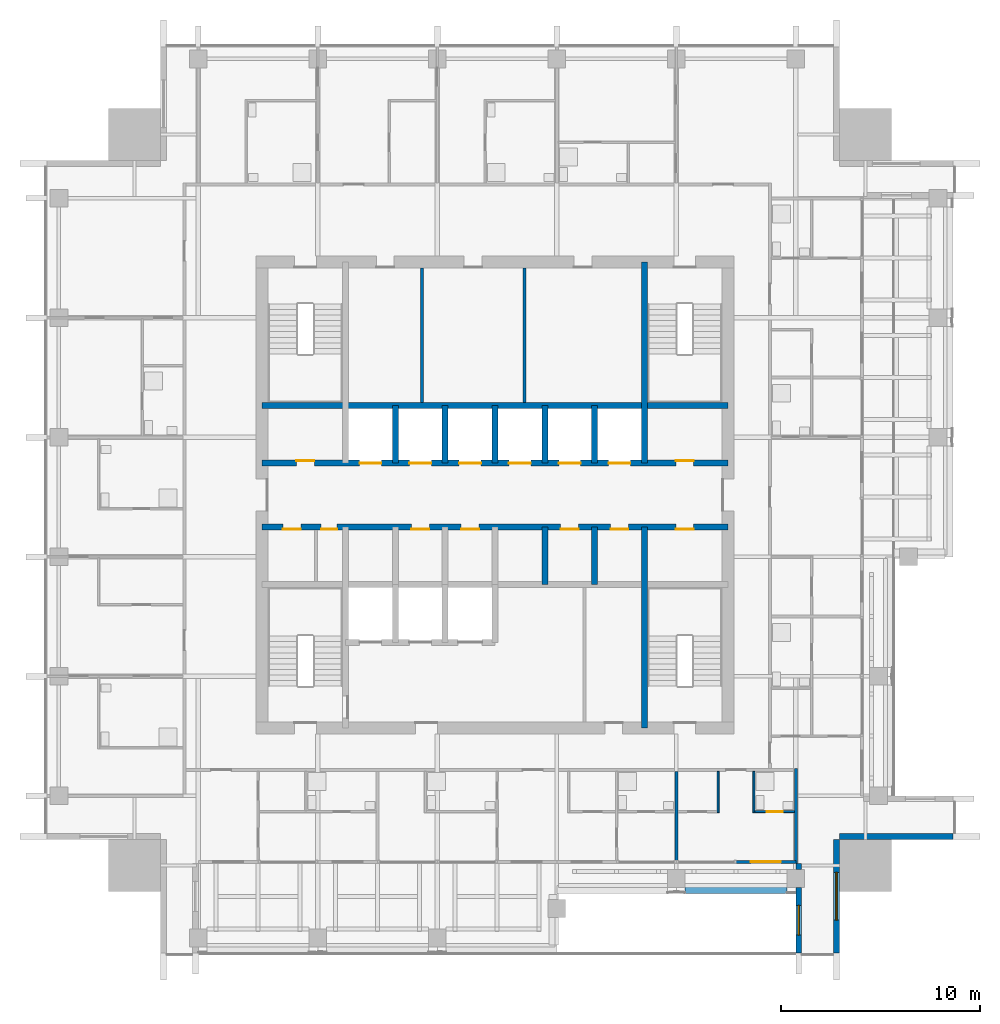
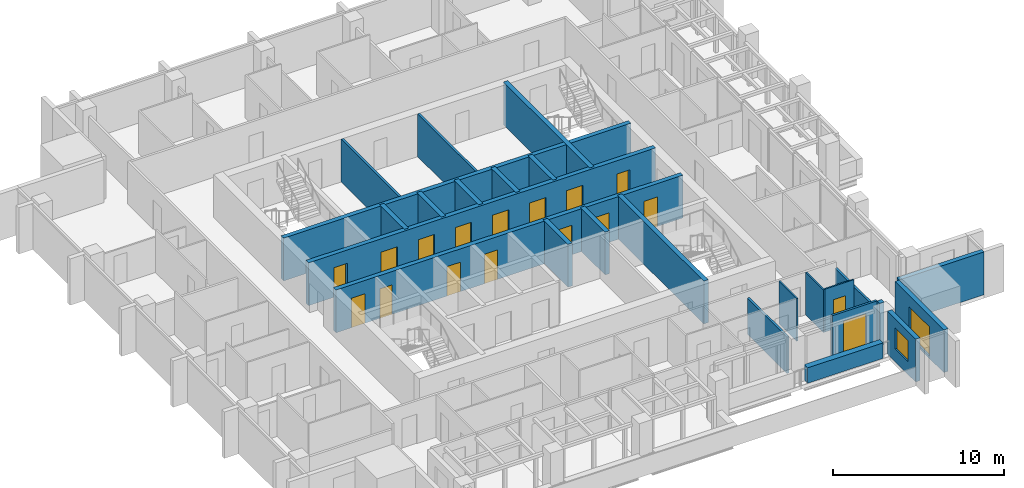
# One storey, part 10 of 17: 25 walls, 17 doors, 2 windows, 19 openings.
"""IFC4 building model written with IfcOpenShell, lengths in metres."""

import ifcopenshell
import ifcopenshell.guid

model = None  # the IFC model being written
_history = None  # IfcOwnerHistory: only IFC2X3 demands one
_inside = {}  # id of a spatial element -> (the spatial element, [elements in it])
_under = {}  # id of a project, library or spatial element -> (it, [spatial elements below it])
_declared = {}  # id of a project -> (the project, [libraries it declares])
_typed = {}  # id of a type object -> (the type object, [elements of that type])
_made_of = {}  # id of a material, layer set ... -> (it, [elements and type objects made of it])


def new_model(schema):
    """Start an empty IFC model of exactly this schema.

    Asked for "IFC4X3", IfcOpenShell would pick the latest addendum, in which some entities
    have other attributes; the version numbers below select the first issue.
    IFC2X3 requires an IfcOwnerHistory on every rooted entity: one is made here for all.
    """
    global model, _history
    if schema == "IFC4X3":
        model = ifcopenshell.file(schema_version=(4, 3, 0, 0))
    else:
        model = ifcopenshell.file(schema=schema)
    _inside.clear()
    _under.clear()
    _declared.clear()
    _typed.clear()
    _made_of.clear()
    _history = None
    if model.schema == "IFC2X3":
        org = make("IfcOrganization", Name="unknown")
        user = make(
            "IfcPersonAndOrganization",
            ThePerson=make("IfcPerson", FamilyName="unknown"),
            TheOrganization=org,
        )
        app = make(
            "IfcApplication",
            ApplicationDeveloper=org,
            Version="unknown",
            ApplicationFullName="unknown",
            ApplicationIdentifier="unknown",
        )
        _history = make(
            "IfcOwnerHistory",
            OwningUser=user,
            OwningApplication=app,
            ChangeAction="ADDED",
            CreationDate=0,
        )
    return model


def make(cls, **values):
    """One entity of the class cls with the attributes given. An attribute that is None is left unset."""
    return model.create_entity(
        cls, **{name: value for name, value in values.items() if value is not None}
    )


def rooted(cls, **values):
    """An entity with a GlobalId (a new one), such as an element, a storey or a relation."""
    return make(cls, GlobalId=ifcopenshell.guid.new(), OwnerHistory=_history, **values)


def si_unit(unit_type, name, prefix=None):
    """IfcSIUnit, for example si_unit("LENGTHUNIT", "METRE", prefix="MILLI")."""
    return make("IfcSIUnit", UnitType=unit_type, Prefix=prefix, Name=name)


def assignment(units):
    """IfcUnitAssignment: the units of a project."""
    return None if units is None else make("IfcUnitAssignment", Units=units)


def point(xyz):
    """IfcCartesianPoint."""
    return None if xyz is None else make("IfcCartesianPoint", Coordinates=xyz)


def direction(xyz):
    """IfcDirection."""
    return None if xyz is None else make("IfcDirection", DirectionRatios=xyz)


def frame(location, z_axis=None, x_axis=None):
    """IfcAxis2Placement3D, a coordinate frame: its origin and axes. An axis left out is left unset."""
    return make(
        "IfcAxis2Placement3D",
        Location=point(location),
        Axis=direction(z_axis),
        RefDirection=direction(x_axis),
    )


def frame_2d(location, x_axis=None):
    """IfcAxis2Placement2D, a coordinate frame in the plane: its origin and x axis."""
    return make(
        "IfcAxis2Placement2D", Location=point(location), RefDirection=direction(x_axis)
    )


def origin():
    """The frame at (0, 0, 0) with its axes left unset."""
    return frame((0.0, 0.0, 0.0))


def place(relative_to, where):
    """IfcLocalPlacement: puts the frame where relative to a parent placement (None: the world)."""
    return make(
        "IfcLocalPlacement", PlacementRelTo=relative_to, RelativePlacement=where
    )


def context(
    kind, dimensions, precision=None, world=None, true_north=None, identifier=None
):
    """IfcGeometricRepresentationContext, for example the 3D "Model" context."""
    return make(
        "IfcGeometricRepresentationContext",
        ContextIdentifier=identifier,
        ContextType=kind,
        CoordinateSpaceDimension=dimensions,
        Precision=precision,
        WorldCoordinateSystem=world,
        TrueNorth=true_north,
    )


def subcontext(parent, identifier, kind, view, scale=None):
    """IfcGeometricRepresentationSubContext, for example "Body" below "Model"."""
    return make(
        "IfcGeometricRepresentationSubContext",
        ContextIdentifier=identifier,
        ContextType=kind,
        ParentContext=parent,
        TargetScale=scale,
        TargetView=view,
    )


def project(units=None, contexts=None):
    """IfcProject with its units and contexts."""
    return rooted(
        "IfcProject",
        Name="project",
        RepresentationContexts=contexts,
        UnitsInContext=assignment(units),
    )


def spatial(cls, under=None, at=None, **own):
    """A site, building, storey or space (cls), placed at a placement, below another one or the project."""
    s = rooted(cls, ObjectPlacement=at, **own)
    if under is not None:
        _under.setdefault(under.id(), (under, []))[1].append(s)
    return s


def profile(cls, at=None, kind="AREA", **sizes):
    """A parametric profile (cls). Its sizes go by their IFC names, for example OverallWidth=200.0."""
    return make(cls, ProfileType=kind, Position=at, **sizes)


def rectangle(**sizes):
    """IfcRectangleProfileDef."""
    return profile("IfcRectangleProfileDef", **sizes)


def extrude(swept, where, along, depth):
    """IfcExtrudedAreaSolid: the profile swept, set in the frame where, extruded along a direction by depth."""
    return make(
        "IfcExtrudedAreaSolid",
        SweptArea=swept,
        Position=where,
        ExtrudedDirection=direction(along),
        Depth=depth,
    )


def shape(context_of_items, identifier, shape_type, items):
    """IfcShapeRepresentation: the items that make up one representation, for example the "Body"."""
    return make(
        "IfcShapeRepresentation",
        ContextOfItems=context_of_items,
        RepresentationIdentifier=identifier,
        RepresentationType=shape_type,
        Items=items,
    )


def material(Name=None, Category=None):
    """IfcMaterial."""
    return make("IfcMaterial", Name=Name, Category=Category)


def layer(
    of_material, thickness, ventilated=None, Name=None, Category=None, Priority=None
):
    """IfcMaterialLayer: one layer of a wall or slab, of a material (None: an air gap)."""
    return make(
        "IfcMaterialLayer",
        Material=of_material,
        LayerThickness=thickness,
        IsVentilated=ventilated,
        Name=Name,
        Category=Category,
        Priority=Priority,
    )


def layer_set(layers, Name=None):
    """IfcMaterialLayerSet."""
    return make("IfcMaterialLayerSet", MaterialLayers=layers, LayerSetName=Name)


def made_of(thing, what):
    """Note that an element or type object is made of a material, layer set ...; save() writes the relation."""
    if what is not None:
        _made_of.setdefault(what.id(), (what, []))[1].append(thing)
    return thing


def type_object(cls, material=None, **own):
    """A type object (cls), such as IfcWallType, which elements share."""
    return made_of(rooted(cls, **own), material)


def element(
    cls,
    number,
    at=None,
    inside=None,
    cuts=None,
    type_object=None,
    material=None,
    context=None,
    identifier="Body",
    shape_type=None,
    held_by="IfcProductDefinitionShape",
    body=None,
    shapes=None,
    **own,
):
    """One element of the class cls, such as IfcWall. Its Tag is "e" and its number.

    at: its placement. inside: the storey or other place that contains it. cuts: it is an
    opening in that element (IfcRelVoidsElement). A single representation is given by context,
    identifier, shape_type and body (its items); several are given by shapes. held_by: the class
    of the entity that holds the representations. save() writes the other relations.
    """
    e = rooted(cls, Tag="e%d" % number, ObjectPlacement=at, **own)
    if body is not None:
        shapes = [shape(context, identifier, shape_type, body)]
    if shapes is not None:
        e.Representation = make(held_by, Representations=shapes)
    if inside is not None:
        _inside.setdefault(inside.id(), (inside, []))[1].append(e)
    if cuts is not None:
        rooted(
            "IfcRelVoidsElement", RelatingBuildingElement=cuts, RelatedOpeningElement=e
        )
    if type_object is not None:
        _typed.setdefault(type_object.id(), (type_object, []))[1].append(e)
    return made_of(e, material)


def fill(opening, filler):
    """IfcRelFillsElement: the door or window that sits in an opening."""
    return rooted(
        "IfcRelFillsElement",
        RelatingOpeningElement=opening,
        RelatedBuildingElement=filler,
    )


def aggregate(whole, parts):
    """IfcRelAggregates: a whole, such as a stair, and the parts it consists of."""
    return rooted("IfcRelAggregates", RelatingObject=whole, RelatedObjects=parts)


def save(model, path):
    """Write the relations noted so far, then the file.

    IfcRelAggregates (storeys below a building ...), IfcRelContainedInSpatialStructure (elements
    in a storey), IfcRelDefinesByType, IfcRelAssociatesMaterial and IfcRelDeclares: one each for
    every whole, place, type object, material and project.
    """
    for whole, parts in _under.values():
        aggregate(whole, parts)
    for where, things in _inside.values():
        rooted(
            "IfcRelContainedInSpatialStructure",
            RelatedElements=things,
            RelatingStructure=where,
        )
    for kind, things in _typed.values():
        rooted("IfcRelDefinesByType", RelatedObjects=things, RelatingType=kind)
    for what, things in _made_of.values():
        rooted("IfcRelAssociatesMaterial", RelatedObjects=things, RelatingMaterial=what)
    for by, libraries in _declared.values():
        rooted("IfcRelDeclares", RelatingContext=by, RelatedDefinitions=libraries)
    model.write(path)


model = new_model("IFC4")

# Units and contexts
model_context = context("Model", 3, precision=1e-05, world=origin(), true_north=direction((0.0, 1.0)))
body_context = subcontext(model_context, "Body", "Model", "MODEL_VIEW")
ifc_project = project(units=[si_unit("LENGTHUNIT", "METRE"), si_unit("AREAUNIT", "SQUARE_METRE"), si_unit("VOLUMEUNIT", "CUBIC_METRE"), si_unit("PLANEANGLEUNIT", "RADIAN"), si_unit("MASSUNIT", "GRAM", prefix="KILO")], contexts=[model_context])

# Site, building, storey
site_placement = place(None, origin())
site = spatial("IfcSite", under=ifc_project, at=site_placement, CompositionType="ELEMENT")
building_placement = place(site_placement, origin())
building = spatial("IfcBuilding", under=site, at=building_placement, Name="Amberfall Residences", CompositionType="ELEMENT")
storey_placement = place(building_placement, frame((0.0, 0.0, 216.699951171875)))
storey = spatial("IfcBuildingStorey", under=building, at=storey_placement, Name="L58", CompositionType="ELEMENT", Elevation=216.699951171875)

# Wall
ifc_material_1 = material(Name="Pale stone cladding on insulated backing", Category="masonry")
ifc_layer_1 = layer(ifc_material_1, 0.300048828125)
ifc_layer_set_1 = layer_set([ifc_layer_1], Name="Bronze clad wall 300")
wall_type_1 = type_object("IfcWallType", Name="Bronze clad wall 300", PredefinedType="SOLIDWALL", material=ifc_layer_set_1)
wall_1_placement = place(storey_placement, frame((89.75, 27.0, 0.0), z_axis=(0.0, 0.0, 1.0), x_axis=(0.0, -1.0, 0.0)))
element("IfcWall", 1, at=wall_1_placement, inside=storey, type_object=wall_type_1, Name="External wall L58 S", PredefinedType="SOLIDWALL", context=body_context, shape_type="SweptSolid", body=[
    extrude(rectangle(XDim=0.300048828125, YDim=0.300048828125, at=frame_2d((0.14990234375, 0.0))), origin(), (0.0, 0.0, 1.0), 3.050048828125),
])

# Wall, opening, window
wall_2_placement = place(storey_placement, frame((89.75, 25.800048828125, 0.0), z_axis=(0.0, 0.0, 1.0), x_axis=(0.0, -1.0, 0.0)))
wall_2 = element("IfcWall", 2, at=wall_2_placement, inside=storey, type_object=wall_type_1, Name="External wall L58 S", PredefinedType="SOLIDWALL", context=body_context, shape_type="SweptSolid", body=[
    extrude(rectangle(XDim=3.300048828125, YDim=0.300048828125, at=frame_2d((1.64990234375, 0.0))), origin(), (0.0, 0.0, 1.0), 3.050048828125),
])
opening_1_placement = place(wall_2_placement, frame((0.89990234375, 0.0, 0.89990234375)))
opening_1 = element("IfcOpeningElement", 3, at=opening_1_placement, cuts=wall_2, Name="Opening WN1", PredefinedType="OPENING", context=body_context, shape_type="SweptSolid", body=[
    extrude(rectangle(XDim=1.5, YDim=1.5, at=frame_2d((0.75, 0.75))), frame((0.0, 0.159912109375, 0.0), z_axis=(0.0, -1.0, 0.0), x_axis=(1.0, 0.0, 0.0)), (0.0, 0.0, 1.0), 0.320068359375),
])
ifc_material_2 = material(Name="Bronze aluminium framed glazing", Category="aluminium")
window_type_1 = type_object("IfcWindowType", Name="Window 1500 x 1500 bronze", PartitioningType="DOUBLE_PANEL_VERTICAL", PredefinedType="WINDOW", material=ifc_material_2)
window_1_placement = place(opening_1_placement, origin())
window_1 = element("IfcWindow", 4, at=window_1_placement, inside=storey, type_object=window_type_1, Name="Window L58 S", OverallHeight=1.5, OverallWidth=1.5, PartitioningType="DOUBLE_PANEL_VERTICAL", PredefinedType="WINDOW", context=body_context, shape_type="SweptSolid", body=[
    extrude(rectangle(XDim=1.5, YDim=1.5, at=frame_2d((0.75, 0.75))), frame((0.0, 0.030029296875, 0.0), z_axis=(0.0, -1.0, 0.0), x_axis=(1.0, 0.0, 0.0)), (0.0, 0.0, 1.0), 0.06005859375),
])
fill(opening_1, window_1)

wall_3_placement = place(storey_placement, frame((91.64990234375, 22.5, 0.0), z_axis=(0.0, 0.0, 1.0), x_axis=(0.0, 1.0, 0.0)))
wall_3 = element("IfcWall", 5, at=wall_3_placement, inside=storey, type_object=wall_type_1, Name="External wall L58 SE", PredefinedType="SOLIDWALL", context=body_context, shape_type="SweptSolid", body=[
    extrude(rectangle(XDim=5.699951171875, YDim=0.300048828125, at=frame_2d((2.85009765625, 0.0))), origin(), (0.0, 0.0, 1.0), 3.050048828125),
])
opening_2_placement = place(wall_3_placement, frame((1.64990234375, 0.0, 0.14990234375)))
opening_2 = element("IfcOpeningElement", 6, at=opening_2_placement, cuts=wall_3, Name="Opening WN5", PredefinedType="OPENING", context=body_context, shape_type="SweptSolid", body=[
    extrude(rectangle(XDim=2.39990234375, YDim=2.10009765625, at=frame_2d((1.199951171875, 1.050048828125))), frame((0.0, 0.159912109375, 0.0), z_axis=(0.0, -1.0, 0.0), x_axis=(1.0, 0.0, 0.0)), (0.0, 0.0, 1.0), 0.320068359375),
])
window_type_2 = type_object("IfcWindowType", Name="Glazed opening 2400 x 2100 bronze", PartitioningType="DOUBLE_PANEL_VERTICAL", PredefinedType="WINDOW", material=ifc_material_2)
window_2_placement = place(opening_2_placement, origin())
window_2 = element("IfcWindow", 7, at=window_2_placement, inside=storey, type_object=window_type_2, Name="Window L58 SE", OverallHeight=2.10009765625, OverallWidth=2.39990234375, PartitioningType="DOUBLE_PANEL_VERTICAL", PredefinedType="WINDOW", context=body_context, shape_type="SweptSolid", body=[
    extrude(rectangle(XDim=2.39990234375, YDim=2.10009765625, at=frame_2d((1.199951171875, 1.050048828125))), frame((0.0, 0.030029296875, 0.0), z_axis=(0.0, -1.0, 0.0), x_axis=(1.0, 0.0, 0.0)), (0.0, 0.0, 1.0), 0.06005859375),
])
fill(opening_2, window_2)

# Wall
wall_4_placement = place(storey_placement, frame((91.800048828125, 28.35009765625, 0.0), z_axis=(0.0, 0.0, 1.0), x_axis=(1.0, 0.0, 0.0)))
element("IfcWall", 8, at=wall_4_placement, inside=storey, type_object=wall_type_1, Name="External wall L58 SE", PredefinedType="SOLIDWALL", context=body_context, shape_type="SweptSolid", body=[
    extrude(rectangle(XDim=5.699951171875, YDim=0.300048828125, at=frame_2d((2.85009765625, 0.0))), origin(), (0.0, 0.0, 1.0), 3.050048828125),
])

# Wall, openings, doors
ifc_material_3 = material(Name="Concrete C55", Category="concrete")
ifc_layer_2 = layer(ifc_material_3, 0.300048828125)
ifc_layer_set_2 = layer_set([ifc_layer_2], Name="Core wall 300 C55")
wall_type_2 = type_object("IfcWallType", Name="Core wall 300 C55", PredefinedType="SHEAR", material=ifc_layer_set_2)
wall_5_placement = place(storey_placement, frame((62.800048828125, 43.89990234375, 0.0), z_axis=(0.0, 0.0, 1.0), x_axis=(1.0, 0.0, 0.0)))
wall_5 = element("IfcWall", 9, at=wall_5_placement, inside=storey, type_object=wall_type_2, Name="Core wall RW8 L58 H104", PredefinedType="SHEAR", context=body_context, shape_type="SweptSolid", body=[
    extrude(rectangle(XDim=23.39990234375, YDim=0.300048828125, at=frame_2d((11.699951171875, 0.0))), origin(), (0.0, 0.0, 1.0), 3.050048828125),
])
opening_3_placement = place(wall_5_placement, frame((1.050048828125, 0.0, 0.0)))
opening_3 = element("IfcOpeningElement", 10, at=opening_3_placement, cuts=wall_5, Name="Opening RD1", PredefinedType="OPENING", context=body_context, shape_type="SweptSolid", body=[
    extrude(rectangle(XDim=0.89990234375, YDim=2.10009765625, at=frame_2d((0.449951171875, 1.050048828125))), frame((0.0, 0.159912109375, 0.0), z_axis=(0.0, -1.0, 0.0), x_axis=(1.0, 0.0, 0.0)), (0.0, 0.0, 1.0), 0.320068359375),
])
opening_4_placement = place(wall_5_placement, frame((2.97509765625, 0.0, 0.0)))
opening_4 = element("IfcOpeningElement", 11, at=opening_4_placement, cuts=wall_5, Name="Opening RD2", PredefinedType="OPENING", context=body_context, shape_type="SweptSolid", body=[
    extrude(rectangle(XDim=0.800048828125, YDim=2.10009765625, at=frame_2d((0.39990234375, 1.050048828125))), frame((0.0, 0.159912109375, 0.0), z_axis=(0.0, -1.0, 0.0), x_axis=(1.0, 0.0, 0.0)), (0.0, 0.0, 1.0), 0.320068359375),
])
opening_5_placement = place(wall_5_placement, frame((20.77490234375, 0.0, 0.0)))
opening_5 = element("IfcOpeningElement", 12, at=opening_5_placement, cuts=wall_5, Name="Opening RD1", PredefinedType="OPENING", context=body_context, shape_type="SweptSolid", body=[
    extrude(rectangle(XDim=0.89990234375, YDim=2.10009765625, at=frame_2d((0.449951171875, 1.050048828125))), frame((0.0, 0.159912109375, 0.0), z_axis=(0.0, -1.0, 0.0), x_axis=(1.0, 0.0, 0.0)), (0.0, 0.0, 1.0), 0.320068359375),
])
opening_6_placement = place(wall_5_placement, frame((7.5, 0.0, 0.0)))
opening_6 = element("IfcOpeningElement", 13, at=opening_6_placement, cuts=wall_5, Name="Opening RD1", PredefinedType="OPENING", context=body_context, shape_type="SweptSolid", body=[
    extrude(rectangle(XDim=0.89990234375, YDim=2.10009765625, at=frame_2d((0.449951171875, 1.050048828125))), frame((0.0, 0.159912109375, 0.0), z_axis=(0.0, -1.0, 0.0), x_axis=(1.0, 0.0, 0.0)), (0.0, 0.0, 1.0), 0.320068359375),
])
opening_7_placement = place(wall_5_placement, frame((10.0, 0.0, 0.0)))
opening_7 = element("IfcOpeningElement", 14, at=opening_7_placement, cuts=wall_5, Name="Opening RD1", PredefinedType="OPENING", context=body_context, shape_type="SweptSolid", body=[
    extrude(rectangle(XDim=0.89990234375, YDim=2.10009765625, at=frame_2d((0.449951171875, 1.050048828125))), frame((0.0, 0.159912109375, 0.0), z_axis=(0.0, -1.0, 0.0), x_axis=(1.0, 0.0, 0.0)), (0.0, 0.0, 1.0), 0.320068359375),
])
opening_8_placement = place(wall_5_placement, frame((15.0, 0.0, 0.0)))
opening_8 = element("IfcOpeningElement", 15, at=opening_8_placement, cuts=wall_5, Name="Opening RD1", PredefinedType="OPENING", context=body_context, shape_type="SweptSolid", body=[
    extrude(rectangle(XDim=0.89990234375, YDim=2.10009765625, at=frame_2d((0.449951171875, 1.050048828125))), frame((0.0, 0.159912109375, 0.0), z_axis=(0.0, -1.0, 0.0), x_axis=(1.0, 0.0, 0.0)), (0.0, 0.0, 1.0), 0.320068359375),
])
opening_9_placement = place(wall_5_placement, frame((17.5, 0.0, 0.0)))
opening_9 = element("IfcOpeningElement", 16, at=opening_9_placement, cuts=wall_5, Name="Opening RD1", PredefinedType="OPENING", context=body_context, shape_type="SweptSolid", body=[
    extrude(rectangle(XDim=0.89990234375, YDim=2.10009765625, at=frame_2d((0.449951171875, 1.050048828125))), frame((0.0, 0.159912109375, 0.0), z_axis=(0.0, -1.0, 0.0), x_axis=(1.0, 0.0, 0.0)), (0.0, 0.0, 1.0), 0.320068359375),
])
ifc_material_4 = material(Name="Steel fire door set", Category="steel")
door_type_1 = type_object("IfcDoorType", Name="Service room door 800 x 2100", OperationType="SINGLE_SWING_LEFT", PredefinedType="DOOR", material=ifc_material_4)
door_1_placement = place(opening_4_placement, origin())
door_1 = element("IfcDoor", 17, at=door_1_placement, inside=storey, type_object=door_type_1, Name="RD2 L58", OperationType="SINGLE_SWING_RIGHT", OverallHeight=2.10009765625, OverallWidth=0.800048828125, PredefinedType="DOOR", context=body_context, shape_type="SweptSolid", body=[
    extrude(rectangle(XDim=0.800048828125, YDim=2.10009765625, at=frame_2d((0.39990234375, 1.050048828125))), frame((0.0, -0.08740234375, 0.0), z_axis=(0.0, -1.0, 0.0), x_axis=(1.0, 0.0, 0.0)), (0.0, 0.0, 1.0), 0.050048828125),
])
fill(opening_4, door_1)
door_type_2 = type_object("IfcDoorType", Name="Service room door 900 x 2100", OperationType="SINGLE_SWING_LEFT", PredefinedType="DOOR", material=ifc_material_4)
door_2_placement = place(opening_3_placement, origin())
door_2 = element("IfcDoor", 18, at=door_2_placement, inside=storey, type_object=door_type_2, Name="RD1 L58", OperationType="SINGLE_SWING_LEFT", OverallHeight=2.10009765625, OverallWidth=0.89990234375, PredefinedType="DOOR", context=body_context, shape_type="SweptSolid", body=[
    extrude(rectangle(XDim=0.89990234375, YDim=2.10009765625, at=frame_2d((0.449951171875, 1.050048828125))), frame((0.0, -0.08740234375, 0.0), z_axis=(0.0, -1.0, 0.0), x_axis=(1.0, 0.0, 0.0)), (0.0, 0.0, 1.0), 0.050048828125),
])
fill(opening_3, door_2)
door_3_placement = place(opening_5_placement, origin())
door_3 = element("IfcDoor", 19, at=door_3_placement, inside=storey, type_object=door_type_2, Name="RD1 L58", OperationType="SINGLE_SWING_LEFT", OverallHeight=2.10009765625, OverallWidth=0.89990234375, PredefinedType="DOOR", context=body_context, shape_type="SweptSolid", body=[
    extrude(rectangle(XDim=0.89990234375, YDim=2.10009765625, at=frame_2d((0.449951171875, 1.050048828125))), frame((0.0, -0.08740234375, 0.0), z_axis=(0.0, -1.0, 0.0), x_axis=(1.0, 0.0, 0.0)), (0.0, 0.0, 1.0), 0.050048828125),
])
fill(opening_5, door_3)
door_4_placement = place(opening_6_placement, origin())
door_4 = element("IfcDoor", 20, at=door_4_placement, inside=storey, type_object=door_type_2, Name="RD1 L58", OperationType="SINGLE_SWING_LEFT", OverallHeight=2.10009765625, OverallWidth=0.89990234375, PredefinedType="DOOR", context=body_context, shape_type="SweptSolid", body=[
    extrude(rectangle(XDim=0.89990234375, YDim=2.10009765625, at=frame_2d((0.449951171875, 1.050048828125))), frame((0.0, -0.08740234375, 0.0), z_axis=(0.0, -1.0, 0.0), x_axis=(1.0, 0.0, 0.0)), (0.0, 0.0, 1.0), 0.050048828125),
])
fill(opening_6, door_4)
door_5_placement = place(opening_7_placement, origin())
door_5 = element("IfcDoor", 21, at=door_5_placement, inside=storey, type_object=door_type_2, Name="RD1 L58", OperationType="SINGLE_SWING_RIGHT", OverallHeight=2.10009765625, OverallWidth=0.89990234375, PredefinedType="DOOR", context=body_context, shape_type="SweptSolid", body=[
    extrude(rectangle(XDim=0.89990234375, YDim=2.10009765625, at=frame_2d((0.449951171875, 1.050048828125))), frame((0.0, -0.08740234375, 0.0), z_axis=(0.0, -1.0, 0.0), x_axis=(1.0, 0.0, 0.0)), (0.0, 0.0, 1.0), 0.050048828125),
])
fill(opening_7, door_5)
door_6_placement = place(opening_8_placement, origin())
door_6 = element("IfcDoor", 22, at=door_6_placement, inside=storey, type_object=door_type_2, Name="RD1 L58", OperationType="SINGLE_SWING_RIGHT", OverallHeight=2.10009765625, OverallWidth=0.89990234375, PredefinedType="DOOR", context=body_context, shape_type="SweptSolid", body=[
    extrude(rectangle(XDim=0.89990234375, YDim=2.10009765625, at=frame_2d((0.449951171875, 1.050048828125))), frame((0.0, -0.08740234375, 0.0), z_axis=(0.0, -1.0, 0.0), x_axis=(1.0, 0.0, 0.0)), (0.0, 0.0, 1.0), 0.050048828125),
])
fill(opening_8, door_6)
door_7_placement = place(opening_9_placement, origin())
door_7 = element("IfcDoor", 23, at=door_7_placement, inside=storey, type_object=door_type_2, Name="RD1 L58", OperationType="SINGLE_SWING_LEFT", OverallHeight=2.10009765625, OverallWidth=0.89990234375, PredefinedType="DOOR", context=body_context, shape_type="SweptSolid", body=[
    extrude(rectangle(XDim=0.89990234375, YDim=2.10009765625, at=frame_2d((0.449951171875, 1.050048828125))), frame((0.0, -0.08740234375, 0.0), z_axis=(0.0, -1.0, 0.0), x_axis=(1.0, 0.0, 0.0)), (0.0, 0.0, 1.0), 0.050048828125),
])
fill(opening_9, door_7)

wall_6_placement = place(storey_placement, frame((62.800048828125, 47.10009765625, 0.0), z_axis=(0.0, 0.0, 1.0), x_axis=(1.0, 0.0, 0.0)))
wall_6 = element("IfcWall", 24, at=wall_6_placement, inside=storey, type_object=wall_type_2, Name="Core wall RW8 L58 H136", PredefinedType="SHEAR", context=body_context, shape_type="SweptSolid", body=[
    extrude(rectangle(XDim=23.39990234375, YDim=0.300048828125, at=frame_2d((11.699951171875, 0.0))), origin(), (0.0, 0.0, 1.0), 3.050048828125),
])
opening_10_placement = place(wall_6_placement, frame((1.72509765625, 0.0, 0.0)))
opening_10 = element("IfcOpeningElement", 25, at=opening_10_placement, cuts=wall_6, Name="Opening RD1", PredefinedType="OPENING", context=body_context, shape_type="SweptSolid", body=[
    extrude(rectangle(XDim=0.89990234375, YDim=2.10009765625, at=frame_2d((0.449951171875, 1.050048828125))), frame((0.0, 0.159912109375, 0.0), z_axis=(0.0, -1.0, 0.0), x_axis=(1.0, 0.0, 0.0)), (0.0, 0.0, 1.0), 0.320068359375),
])
opening_11_placement = place(wall_6_placement, frame((20.77490234375, 0.0, 0.0)))
opening_11 = element("IfcOpeningElement", 26, at=opening_11_placement, cuts=wall_6, Name="Opening RD1", PredefinedType="OPENING", context=body_context, shape_type="SweptSolid", body=[
    extrude(rectangle(XDim=0.89990234375, YDim=2.10009765625, at=frame_2d((0.449951171875, 1.050048828125))), frame((0.0, 0.159912109375, 0.0), z_axis=(0.0, -1.0, 0.0), x_axis=(1.0, 0.0, 0.0)), (0.0, 0.0, 1.0), 0.320068359375),
])
opening_12_placement = place(wall_6_placement, frame((4.89990234375, 0.0, 0.0)))
opening_12 = element("IfcOpeningElement", 27, at=opening_12_placement, cuts=wall_6, Name="Opening LD1", PredefinedType="OPENING", context=body_context, shape_type="SweptSolid", body=[
    extrude(rectangle(XDim=1.10009765625, YDim=2.10009765625, at=frame_2d((0.550048828125, 1.050048828125))), frame((0.0, 0.159912109375, 0.0), z_axis=(0.0, -1.0, 0.0), x_axis=(1.0, 0.0, 0.0)), (0.0, 0.0, 1.0), 0.320068359375),
])
opening_13_placement = place(wall_6_placement, frame((7.39990234375, 0.0, 0.0)))
opening_13 = element("IfcOpeningElement", 28, at=opening_13_placement, cuts=wall_6, Name="Opening LD1", PredefinedType="OPENING", context=body_context, shape_type="SweptSolid", body=[
    extrude(rectangle(XDim=1.10009765625, YDim=2.10009765625, at=frame_2d((0.550048828125, 1.050048828125))), frame((0.0, 0.159912109375, 0.0), z_axis=(0.0, -1.0, 0.0), x_axis=(1.0, 0.0, 0.0)), (0.0, 0.0, 1.0), 0.320068359375),
])
opening_14_placement = place(wall_6_placement, frame((9.89990234375, 0.0, 0.0)))
opening_14 = element("IfcOpeningElement", 29, at=opening_14_placement, cuts=wall_6, Name="Opening LD1", PredefinedType="OPENING", context=body_context, shape_type="SweptSolid", body=[
    extrude(rectangle(XDim=1.10009765625, YDim=2.10009765625, at=frame_2d((0.550048828125, 1.050048828125))), frame((0.0, 0.159912109375, 0.0), z_axis=(0.0, -1.0, 0.0), x_axis=(1.0, 0.0, 0.0)), (0.0, 0.0, 1.0), 0.320068359375),
])
opening_15_placement = place(wall_6_placement, frame((12.39990234375, 0.0, 0.0)))
opening_15 = element("IfcOpeningElement", 30, at=opening_15_placement, cuts=wall_6, Name="Opening LD1", PredefinedType="OPENING", context=body_context, shape_type="SweptSolid", body=[
    extrude(rectangle(XDim=1.10009765625, YDim=2.10009765625, at=frame_2d((0.550048828125, 1.050048828125))), frame((0.0, 0.159912109375, 0.0), z_axis=(0.0, -1.0, 0.0), x_axis=(1.0, 0.0, 0.0)), (0.0, 0.0, 1.0), 0.320068359375),
])
opening_16_placement = place(wall_6_placement, frame((14.89990234375, 0.0, 0.0)))
opening_16 = element("IfcOpeningElement", 31, at=opening_16_placement, cuts=wall_6, Name="Opening LD1", PredefinedType="OPENING", context=body_context, shape_type="SweptSolid", body=[
    extrude(rectangle(XDim=1.10009765625, YDim=2.10009765625, at=frame_2d((0.550048828125, 1.050048828125))), frame((0.0, 0.159912109375, 0.0), z_axis=(0.0, -1.0, 0.0), x_axis=(1.0, 0.0, 0.0)), (0.0, 0.0, 1.0), 0.320068359375),
])
opening_17_placement = place(wall_6_placement, frame((17.39990234375, 0.0, 0.0)))
opening_17 = element("IfcOpeningElement", 32, at=opening_17_placement, cuts=wall_6, Name="Opening LD1", PredefinedType="OPENING", context=body_context, shape_type="SweptSolid", body=[
    extrude(rectangle(XDim=1.10009765625, YDim=2.10009765625, at=frame_2d((0.550048828125, 1.050048828125))), frame((0.0, 0.159912109375, 0.0), z_axis=(0.0, -1.0, 0.0), x_axis=(1.0, 0.0, 0.0)), (0.0, 0.0, 1.0), 0.320068359375),
])
door_type_3 = type_object("IfcDoorType", Name="Lift landing door 1100 x 2100", OperationType="DOUBLE_DOOR_SLIDING", PredefinedType="DOOR", material=ifc_material_4)
door_8_placement = place(opening_12_placement, origin())
door_8 = element("IfcDoor", 33, at=door_8_placement, inside=storey, type_object=door_type_3, Name="Landing door HP1 L58", OperationType="DOUBLE_DOOR_SLIDING", OverallHeight=2.10009765625, OverallWidth=1.10009765625, PredefinedType="DOOR", context=body_context, shape_type="SweptSolid", body=[
    extrude(rectangle(XDim=1.10009765625, YDim=2.10009765625, at=frame_2d((0.550048828125, 1.050048828125))), frame((0.0, 0.02490234375, 0.0), z_axis=(0.0, -1.0, 0.0), x_axis=(1.0, 0.0, 0.0)), (0.0, 0.0, 1.0), 0.050048828125),
])
fill(opening_12, door_8)
door_9_placement = place(opening_13_placement, origin())
door_9 = element("IfcDoor", 34, at=door_9_placement, inside=storey, type_object=door_type_3, Name="Landing door HP2 L58", OperationType="DOUBLE_DOOR_SLIDING", OverallHeight=2.10009765625, OverallWidth=1.10009765625, PredefinedType="DOOR", context=body_context, shape_type="SweptSolid", body=[
    extrude(rectangle(XDim=1.10009765625, YDim=2.10009765625, at=frame_2d((0.550048828125, 1.050048828125))), frame((0.0, 0.02490234375, 0.0), z_axis=(0.0, -1.0, 0.0), x_axis=(1.0, 0.0, 0.0)), (0.0, 0.0, 1.0), 0.050048828125),
])
fill(opening_13, door_9)
door_10_placement = place(opening_14_placement, origin())
door_10 = element("IfcDoor", 35, at=door_10_placement, inside=storey, type_object=door_type_3, Name="Landing door HP3 L58", OperationType="DOUBLE_DOOR_SLIDING", OverallHeight=2.10009765625, OverallWidth=1.10009765625, PredefinedType="DOOR", context=body_context, shape_type="SweptSolid", body=[
    extrude(rectangle(XDim=1.10009765625, YDim=2.10009765625, at=frame_2d((0.550048828125, 1.050048828125))), frame((0.0, 0.02490234375, 0.0), z_axis=(0.0, -1.0, 0.0), x_axis=(1.0, 0.0, 0.0)), (0.0, 0.0, 1.0), 0.050048828125),
])
fill(opening_14, door_10)
door_11_placement = place(opening_15_placement, origin())
door_11 = element("IfcDoor", 36, at=door_11_placement, inside=storey, type_object=door_type_3, Name="Landing door HP4 L58", OperationType="DOUBLE_DOOR_SLIDING", OverallHeight=2.10009765625, OverallWidth=1.10009765625, PredefinedType="DOOR", context=body_context, shape_type="SweptSolid", body=[
    extrude(rectangle(XDim=1.10009765625, YDim=2.10009765625, at=frame_2d((0.550048828125, 1.050048828125))), frame((0.0, 0.02490234375, 0.0), z_axis=(0.0, -1.0, 0.0), x_axis=(1.0, 0.0, 0.0)), (0.0, 0.0, 1.0), 0.050048828125),
])
fill(opening_15, door_11)
door_12_placement = place(opening_16_placement, origin())
door_12 = element("IfcDoor", 37, at=door_12_placement, inside=storey, type_object=door_type_3, Name="Landing door HP5 L58", OperationType="DOUBLE_DOOR_SLIDING", OverallHeight=2.10009765625, OverallWidth=1.10009765625, PredefinedType="DOOR", context=body_context, shape_type="SweptSolid", body=[
    extrude(rectangle(XDim=1.10009765625, YDim=2.10009765625, at=frame_2d((0.550048828125, 1.050048828125))), frame((0.0, 0.02490234375, 0.0), z_axis=(0.0, -1.0, 0.0), x_axis=(1.0, 0.0, 0.0)), (0.0, 0.0, 1.0), 0.050048828125),
])
fill(opening_16, door_12)
door_13_placement = place(opening_17_placement, origin())
door_13 = element("IfcDoor", 38, at=door_13_placement, inside=storey, type_object=door_type_3, Name="Landing door HP6 L58", OperationType="DOUBLE_DOOR_SLIDING", OverallHeight=2.10009765625, OverallWidth=1.10009765625, PredefinedType="DOOR", context=body_context, shape_type="SweptSolid", body=[
    extrude(rectangle(XDim=1.10009765625, YDim=2.10009765625, at=frame_2d((0.550048828125, 1.050048828125))), frame((0.0, 0.02490234375, 0.0), z_axis=(0.0, -1.0, 0.0), x_axis=(1.0, 0.0, 0.0)), (0.0, 0.0, 1.0), 0.050048828125),
])
fill(opening_17, door_13)
door_14_placement = place(opening_10_placement, origin())
door_14 = element("IfcDoor", 39, at=door_14_placement, inside=storey, type_object=door_type_2, Name="RD1 L58", OperationType="SINGLE_SWING_LEFT", OverallHeight=2.10009765625, OverallWidth=0.89990234375, PredefinedType="DOOR", context=body_context, shape_type="SweptSolid", body=[
    extrude(rectangle(XDim=0.89990234375, YDim=2.10009765625, at=frame_2d((0.449951171875, 1.050048828125))), frame((0.0, 0.1376953125, 0.0), z_axis=(0.0, -1.0, 0.0), x_axis=(1.0, 0.0, 0.0)), (0.0, 0.0, 1.0), 0.050048828125),
])
fill(opening_10, door_14)
door_15_placement = place(opening_11_placement, origin())
door_15 = element("IfcDoor", 40, at=door_15_placement, inside=storey, type_object=door_type_2, Name="RD1 L58", OperationType="SINGLE_SWING_LEFT", OverallHeight=2.10009765625, OverallWidth=0.89990234375, PredefinedType="DOOR", context=body_context, shape_type="SweptSolid", body=[
    extrude(rectangle(XDim=0.89990234375, YDim=2.10009765625, at=frame_2d((0.449951171875, 1.050048828125))), frame((0.0, 0.1376953125, 0.0), z_axis=(0.0, -1.0, 0.0), x_axis=(1.0, 0.0, 0.0)), (0.0, 0.0, 1.0), 0.050048828125),
])
fill(opening_11, door_15)

# Walls
wall_7_placement = place(storey_placement, frame((62.800048828125, 50.0, 0.0), z_axis=(0.0, 0.0, 1.0), x_axis=(1.0, 0.0, 0.0)))
element("IfcWall", 41, at=wall_7_placement, inside=storey, type_object=wall_type_2, Name="Core wall RW8 L58 H165", PredefinedType="SHEAR", context=body_context, shape_type="SweptSolid", body=[
    extrude(rectangle(XDim=23.39990234375, YDim=0.300048828125, at=frame_2d((11.699951171875, 0.0))), origin(), (0.0, 0.0, 1.0), 3.050048828125),
])
for number, where, z_axis, x_axis, name in (
    (42, (82.0, 33.800048828125, 0.0), (0.0, 0.0, 1.0), (0.0, 1.0, 0.0), "Core wall RW8 L58 V195S"),
    (43, (82.0, 47.10009765625, 0.0), (0.0, 0.0, 1.0), (0.0, 1.0, 0.0), "Core wall RW8 L58 V195N"),
):
    element("IfcWall", number, at=place(storey_placement, frame(where, z_axis=z_axis, x_axis=x_axis)), inside=storey, type_object=wall_type_2, Name=name, PredefinedType="SHEAR", context=body_context, shape_type="SweptSolid", body=[
        extrude(rectangle(XDim=10.099853515625, YDim=0.300048828125, at=frame_2d((5.0498046875, 0.0))), origin(), (0.0, 0.0, 1.0), 3.050048828125),
    ])
for number, where, z_axis, x_axis, name in (
    (44, (69.5, 47.10009765625, 0.0), (0.0, 0.0, 1.0), (0.0, 1.0, 0.0), "Core wall RW8 L58 HPD1"),
    (45, (72.0, 47.10009765625, 0.0), (0.0, 0.0, 1.0), (0.0, 1.0, 0.0), "Core wall RW8 L58 HPD2"),
    (46, (74.5, 47.10009765625, 0.0), (0.0, 0.0, 1.0), (0.0, 1.0, 0.0), "Core wall RW8 L58 HPD3"),
    (47, (77.0, 41.0, 0.0), (0.0, 0.0, 1.0), (0.0, 1.0, 0.0), "Core wall RW8 L58 LPD4"),
    (48, (77.0, 47.10009765625, 0.0), (0.0, 0.0, 1.0), (0.0, 1.0, 0.0), "Core wall RW8 L58 HPD4"),
    (49, (79.5, 41.0, 0.0), (0.0, 0.0, 1.0), (0.0, 1.0, 0.0), "Core wall RW8 L58 LPD5"),
    (50, (79.5, 47.10009765625, 0.0), (0.0, 0.0, 1.0), (0.0, 1.0, 0.0), "Core wall RW8 L58 HPD5"),
):
    element("IfcWall", number, at=place(storey_placement, frame(where, z_axis=z_axis, x_axis=x_axis)), inside=storey, type_object=wall_type_2, Name=name, PredefinedType="SHEAR", context=body_context, shape_type="SweptSolid", body=[
        extrude(rectangle(XDim=2.89990234375, YDim=0.300048828125, at=frame_2d((1.449951171875, 0.0))), origin(), (0.0, 0.0, 1.0), 3.050048828125),
    ])
ifc_material_5 = material(Name="Gypsum board on metal stud")
ifc_layer_3 = layer(ifc_material_5, 0.10009765625)
ifc_layer_set_3 = layer_set([ifc_layer_3], Name="Flat partition 100")
wall_type_3 = type_object("IfcWallType", Name="Flat partition 100", PredefinedType="PARTITIONING", material=ifc_layer_set_3)
for number, where, z_axis, x_axis, name in (
    (51, (85.699951171875, 29.550048828125, 0.0), (0.0, 0.0, 1.0), (0.0, 1.0, 0.0), "Partition 018"),
    (52, (87.5, 29.550048828125, 0.0), (0.0, 0.0, 1.0), (0.0, 1.0, 0.0), "Partition 019"),
):
    element("IfcWall", number, at=place(storey_placement, frame(where, z_axis=z_axis, x_axis=x_axis)), inside=storey, type_object=wall_type_3, Name=name, PredefinedType="PARTITIONING", context=body_context, shape_type="SweptSolid", body=[
        extrude(rectangle(XDim=2.074951171875, YDim=0.10009765625, at=frame_2d((1.03759765625, 0.0))), origin(), (0.0, 0.0, 1.0), 3.050048828125),
    ])

# Wall, opening, door
wall_8_placement = place(storey_placement, frame((87.550048828125, 29.60009765625, 0.0), z_axis=(0.0, 0.0, 1.0), x_axis=(1.0, 0.0, 0.0)))
wall_8 = element("IfcWall", 53, at=wall_8_placement, inside=storey, type_object=wall_type_3, Name="Partition 043", PredefinedType="PARTITIONING", context=body_context, shape_type="SweptSolid", body=[
    extrude(rectangle(XDim=1.974853515625, YDim=0.10009765625, at=frame_2d((0.9873046875, 0.0))), origin(), (0.0, 0.0, 1.0), 3.050048828125),
])
opening_18_placement = place(wall_8_placement, frame((0.60009765625, 0.0, 0.0)))
opening_18 = element("IfcOpeningElement", 54, at=opening_18_placement, cuts=wall_8, Name="Opening D42", PredefinedType="OPENING", context=body_context, shape_type="SweptSolid", body=[
    extrude(rectangle(XDim=0.800048828125, YDim=2.10009765625, at=frame_2d((0.39990234375, 1.050048828125))), frame((0.0, 0.06005859375, 0.0), z_axis=(0.0, -1.0, 0.0), x_axis=(1.0, 0.0, 0.0)), (0.0, 0.0, 1.0), 0.1201171875),
])
ifc_material_6 = material(Name="Timber", Category="wood")
door_type_4 = type_object("IfcDoorType", Name="Bathroom door 800 x 2100", OperationType="SINGLE_SWING_LEFT", PredefinedType="DOOR", material=ifc_material_6)
door_16_placement = place(opening_18_placement, origin())
door_16 = element("IfcDoor", 55, at=door_16_placement, inside=storey, type_object=door_type_4, Name="Door 5803 bath1", OperationType="SINGLE_SWING_LEFT", OverallHeight=2.10009765625, OverallWidth=0.800048828125, PredefinedType="DOOR", context=body_context, shape_type="SweptSolid", body=[
    extrude(rectangle(XDim=0.800048828125, YDim=2.10009765625, at=frame_2d((0.39990234375, 1.050048828125))), frame((0.0, 0.02490234375, 0.0), z_axis=(0.0, -1.0, 0.0), x_axis=(1.0, 0.0, 0.0)), (0.0, 0.0, 1.0), 0.050048828125),
])
fill(opening_18, door_16)

# Walls
ifc_material_7 = material(Name="Blockwork, plastered", Category="masonry")
ifc_layer_4 = layer(ifc_material_7, 0.14990234375)
ifc_layer_set_4 = layer_set([ifc_layer_4], Name="Flat separating wall 150")
wall_type_4 = type_object("IfcWallType", Name="Flat separating wall 150", PredefinedType="PARTITIONING", material=ifc_layer_set_4)
wall_9_placement = place(storey_placement, frame((83.60009765625, 27.0, 0.0), z_axis=(0.0, 0.0, 1.0), x_axis=(0.0, 1.0, 0.0)))
element("IfcWall", 56, at=wall_9_placement, inside=storey, type_object=wall_type_4, Name="Separating wall 048", PredefinedType="PARTITIONING", context=body_context, shape_type="SweptSolid", body=[
    extrude(rectangle(XDim=4.625, YDim=0.14990234375, at=frame_2d((2.3125, 0.0))), origin(), (0.0, 0.0, 1.0), 2.590087890625),
])
wall_10_placement = place(storey_placement, frame((89.60009765625, 27.0, 0.0), z_axis=(0.0, 0.0, 1.0), x_axis=(0.0, 1.0, 0.0)))
element("IfcWall", 57, at=wall_10_placement, inside=storey, type_object=wall_type_4, Name="Separating wall 050", PredefinedType="PARTITIONING", context=body_context, shape_type="SweptSolid", body=[
    extrude(rectangle(XDim=4.77490234375, YDim=0.14990234375, at=frame_2d((2.387451171875, 0.0))), origin(), (0.0, 0.0, 1.0), 2.51611328125),
])
ifc_material_8 = material(Name="Concrete blockwork", Category="masonry")
ifc_layer_5 = layer(ifc_material_8, 0.14990234375)
ifc_layer_set_5 = layer_set([ifc_layer_5], Name="Riser wall 150")
wall_type_5 = type_object("IfcWallType", Name="Riser wall 150", PredefinedType="PLUMBINGWALL", material=ifc_layer_set_5)
for number, where, z_axis, x_axis, name in (
    (58, (70.824951171875, 50.14990234375, 0.0), (0.0, 0.0, 1.0), (0.0, 1.0, 0.0), "L58 core wall N0"),
    (59, (75.969970703125, 50.14990234375, 0.0), (0.0, 0.0, 1.0), (0.0, 1.0, 0.0), "L58 core wall N1"),
):
    element("IfcWall", number, at=place(storey_placement, frame(where, z_axis=z_axis, x_axis=x_axis)), inside=storey, type_object=wall_type_5, Name=name, PredefinedType="PLUMBINGWALL", context=body_context, shape_type="SweptSolid", body=[
        extrude(rectangle(XDim=6.75, YDim=0.14990234375, at=frame_2d((3.375, 0.0))), origin(), (0.0, 0.0, 1.0), 3.050048828125),
    ])

# Wall, opening, door
ifc_layer_6 = layer(ifc_material_1, 0.14990234375)
ifc_layer_set_6 = layer_set([ifc_layer_6], Name="Terrace door infill wall 150")
wall_type_6 = type_object("IfcWallType", Name="Terrace door infill wall 150", PredefinedType="SOLIDWALL", material=ifc_layer_set_6)
wall_11_placement = place(storey_placement, frame((86.60009765625, 27.074951171875, 0.0), z_axis=(0.0, 0.0, 1.0), x_axis=(1.0, 0.0, 0.0)))
wall_11 = element("IfcWall", 60, at=wall_11_placement, inside=storey, type_object=wall_type_6, Name="Terrace door wall L58 S5", PredefinedType="SOLIDWALL", context=body_context, shape_type="SweptSolid", body=[
    extrude(rectangle(XDim=3.0, YDim=0.14990234375, at=frame_2d((1.5, 0.0))), origin(), (0.0, 0.0, 1.0), 3.050048828125),
])
opening_19_placement = place(wall_11_placement, frame((0.75, 0.0, 0.0)))
opening_19 = element("IfcOpeningElement", 61, at=opening_19_placement, cuts=wall_11, Name="Opening TD2", PredefinedType="OPENING", context=body_context, shape_type="SweptSolid", body=[
    extrude(rectangle(XDim=1.5, YDim=2.39990234375, at=frame_2d((0.75, 1.199951171875))), frame((0.0, 0.0849609375, 0.0), z_axis=(0.0, -1.0, 0.0), x_axis=(1.0, 0.0, 0.0)), (0.0, 0.0, 1.0), 0.169921875),
])
ifc_material_9 = material(Name="Bronze aluminium framed glazed door", Category="aluminium")
door_type_5 = type_object("IfcDoorType", Name="Terrace sliding door 1500 x 2400", OperationType="DOUBLE_DOOR_SLIDING", PredefinedType="DOOR", material=ifc_material_9)
door_17_placement = place(opening_19_placement, origin())
door_17 = element("IfcDoor", 62, at=door_17_placement, inside=storey, type_object=door_type_5, Name="Terrace door TD2", OperationType="DOUBLE_DOOR_SLIDING", OverallHeight=2.39990234375, OverallWidth=1.5, PredefinedType="DOOR", context=body_context, shape_type="SweptSolid", body=[
    extrude(rectangle(XDim=1.5, YDim=2.39990234375, at=frame_2d((0.75, 1.199951171875))), frame((0.0, 0.02490234375, 0.0), z_axis=(0.0, -1.0, 0.0), x_axis=(1.0, 0.0, 0.0)), (0.0, 0.0, 1.0), 0.050048828125),
])
fill(opening_19, door_17)

# Wall
ifc_material_10 = material(Name="Pale stone faced Concrete C40", Category="masonry")
ifc_layer_7 = layer(ifc_material_10, 0.39990234375)
ifc_layer_set_7 = layer_set([ifc_layer_7], Name="Terrace parapet wall 400")
wall_type_7 = type_object("IfcWallType", Name="Terrace parapet wall 400", PredefinedType="PARAPET", material=ifc_layer_set_7)
wall_12_placement = place(storey_placement, frame((84.050048828125, 25.699951171875, 0.030029296875), z_axis=(0.0, 0.0, 1.0), x_axis=(1.0, 0.0, 0.0)))
element("IfcWall", 63, at=wall_12_placement, inside=storey, type_object=wall_type_7, Name="Terrace parapet L58 S5", PredefinedType="PARAPET", context=body_context, shape_type="SweptSolid", body=[
    extrude(rectangle(XDim=5.099853515625, YDim=0.39990234375, at=frame_2d((2.5498046875, 0.0))), origin(), (0.0, 0.0, 1.0), 1.10009765625),
])

save(model, "model.ifc")
